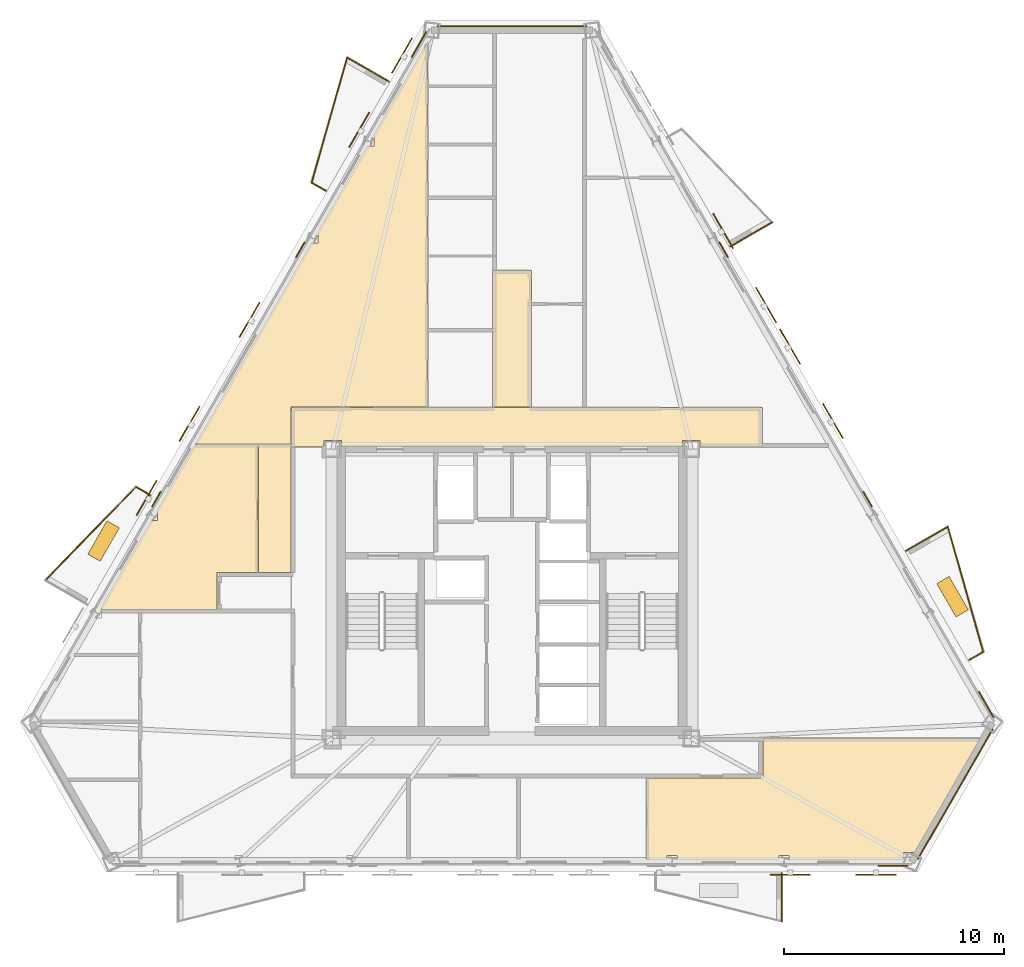
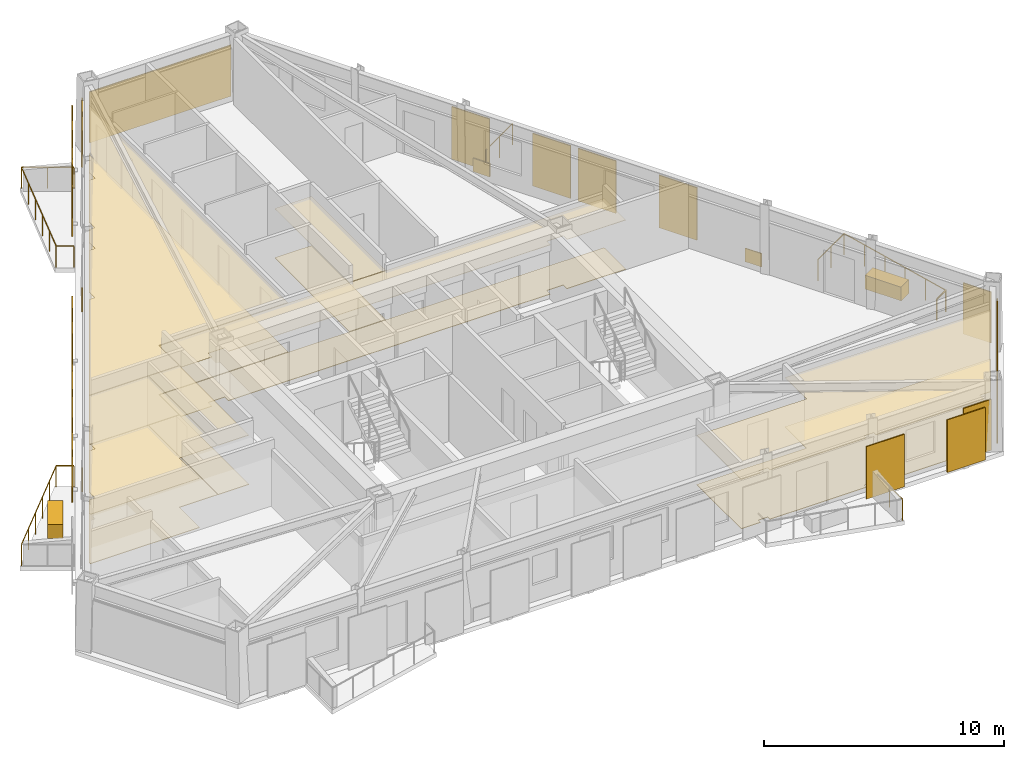
# One storey, part 8 of 9: 23 coverings, 11 shading devices, 10 railings.
"""IFC4 building model written with IfcOpenShell, lengths in metres."""

from ifc_helpers import new_model, si_unit, direction, frame, origin, origin_2d, place, context, subcontext, project, spatial, polyline, rectangle, circle, outline, extrude, material, layer, layer_set, type_object, element, save


model = new_model("IFC4")

# Units and contexts
model_context = context("Model", 3, precision=1e-05, world=origin(), true_north=direction((0.0, 1.0)))
body_context = subcontext(model_context, "Body", "Model", "MODEL_VIEW")
ifc_project = project(units=[si_unit("LENGTHUNIT", "METRE"), si_unit("AREAUNIT", "SQUARE_METRE"), si_unit("VOLUMEUNIT", "CUBIC_METRE"), si_unit("PLANEANGLEUNIT", "RADIAN"), si_unit("MASSUNIT", "GRAM", prefix="KILO")], contexts=[model_context])

# Site, building, storey
site_placement = place(None, origin())
site = spatial("IfcSite", under=ifc_project, at=site_placement, CompositionType="ELEMENT")
building_placement = place(site_placement, origin())
building = spatial("IfcBuilding", under=site, at=building_placement, Name="Oramaril Tower", CompositionType="ELEMENT")
storey_placement = place(building_placement, frame((0.0, 0.0, 201.0)))
storey = spatial("IfcBuildingStorey", under=building, at=storey_placement, Name="L53", CompositionType="ELEMENT", Elevation=201.0)

# Coverings
ifc_material_1 = material(Name="Mineral Fibre Acoustic Ceiling")
ifc_layer_1 = layer(ifc_material_1, 0.02001953125)
ifc_layer_set_1 = layer_set([ifc_layer_1], Name="CVT-CEIL")
covering_type_1 = type_object("IfcCoveringType", Name="CVT-CEIL", PredefinedType="CEILING", material=ifc_layer_set_1)
covering_1_placement = place(storey_placement, frame((0.0, 0.0, 2.511962890625)))
element("IfcCovering", 1, at=covering_1_placement, inside=storey, type_object=covering_type_1, Name="L53 Acoustic Suspended Ceiling 2", PredefinedType="CEILING", context=body_context, shape_type="SweptSolid", body=[
    extrude(outline(polyline([(48.8798828125, 24.239990234375), (46.044921875, 24.239990234375), (46.044921875, 24.544921875), (45.2548828125, 24.544921875), (45.2548828125, 24.25), (29.7451171875, 24.25), (29.7451171875, 24.544921875), (28.955078125, 24.544921875), (28.955078125, 24.239990234375), (27.469970703125, 24.239990234375), (27.469970703125, 26.050048828125), (48.8798828125, 26.050048828125), (48.8798828125, 24.239990234375)])), origin(), (0.0, 0.0, 1.0), 0.02001953125),
])
covering_2_placement = place(storey_placement, frame((0.0, 0.0, 2.511962890625)))
element("IfcCovering", 2, at=covering_2_placement, inside=storey, type_object=covering_type_1, Name="L53 Acoustic Suspended Ceiling 4", PredefinedType="CEILING", context=body_context, shape_type="SweptSolid", body=[
    extrude(outline(polyline([(38.3798828125, 26.070068359375), (36.6201171875, 26.070068359375), (36.6201171875, 32.280029296875), (38.3798828125, 32.280029296875), (38.3798828125, 26.070068359375)])), origin(), (0.0, 0.0, 1.0), 0.02001953125),
])
covering_3_placement = place(storey_placement, frame((0.0, 0.0, 2.511962890625)))
element("IfcCovering", 3, at=covering_3_placement, inside=storey, type_object=covering_type_1, Name="L53 Acoustic Suspended Ceiling 7", PredefinedType="CEILING", context=body_context, shape_type="SweptSolid", body=[
    extrude(outline(polyline([(55.804443359375, 5.8193359375), (55.305908203125, 5.8193359375), (55.305908203125, 5.48876953125), (50.098876953125, 5.48876953125), (50.098876953125, 5.668701171875), (49.64013671875, 5.668701171875), (49.64013671875, 5.48876953125), (45.00146484375, 5.48876953125), (45.00146484375, 5.668701171875), (44.55078125, 5.668701171875), (44.55078125, 5.48876953125), (43.614990234375, 5.48876953125), (43.614990234375, 9.199951171875), (48.8798828125, 9.199951171875), (48.882080078125, 9.2001953125), (48.8837890625, 9.200439453125), (48.8857421875, 9.200927734375), (48.8876953125, 9.201416015625), (48.889404296875, 9.202392578125), (48.89111328125, 9.203369140625), (48.892578125, 9.20458984375), (48.89404296875, 9.205810546875), (48.8955078125, 9.207275390625), (48.896484375, 9.208984375), (48.897705078125, 9.210693359375), (48.8984375, 9.21240234375), (48.899169921875, 9.214111328125), (48.899658203125, 9.216064453125), (48.89990234375, 9.218017578125), (48.89990234375, 9.219970703125), (48.89990234375, 10.991943359375), (58.791015625, 10.991943359375), (55.804443359375, 5.8193359375)])), origin(), (0.0, 0.0, 1.0), 0.02001953125),
])
covering_4_placement = place(storey_placement, frame((0.0, 0.0, 2.511962890625)))
element("IfcCovering", 4, at=covering_4_placement, inside=storey, type_object=covering_type_1, Name="L53 Acoustic Suspended Ceiling 14", PredefinedType="CEILING", context=body_context, shape_type="SweptSolid", body=[
    extrude(outline(polyline([(18.842041015625, 16.975341796875), (18.824462890625, 16.975341796875), (21.090087890625, 20.899658203125), (21.390625, 20.899658203125), (21.390625, 21.3828125), (21.368896484375, 21.3828125), (23.089111328125, 24.362060546875), (25.9462890625, 24.362060546875), (25.9462890625, 18.550048828125), (24.1201171875, 18.550048828125), (24.117919921875, 18.5498046875), (24.1162109375, 18.549560546875), (24.1142578125, 18.549072265625), (24.1123046875, 18.548583984375), (24.110595703125, 18.547607421875), (24.10888671875, 18.546630859375), (24.107421875, 18.54541015625), (24.10595703125, 18.544189453125), (24.1044921875, 18.542724609375), (24.103515625, 18.541015625), (24.102294921875, 18.539306640625), (24.1015625, 18.53759765625), (24.100830078125, 18.535888671875), (24.100341796875, 18.533935546875), (24.10009765625, 18.531982421875), (24.10009765625, 18.530029296875), (24.10009765625, 16.862060546875), (20.54541015625, 16.862060546875), (20.543212890625, 16.86181640625), (20.54150390625, 16.861572265625), (20.53955078125, 16.861083984375), (20.53759765625, 16.860595703125), (20.535888671875, 16.859619140625), (20.535400390625, 16.859375), (20.53466796875, 16.859619140625), (20.532958984375, 16.860595703125), (20.531005859375, 16.861083984375), (20.529296875, 16.861572265625), (20.52734375, 16.86181640625), (20.525390625, 16.862060546875), (18.842041015625, 16.862060546875), (18.842041015625, 16.975341796875)])), origin(), (0.0, 0.0, 1.0), 0.02001953125),
])
covering_5_placement = place(storey_placement, frame((0.0, 0.0, 2.511962890625)))
element("IfcCovering", 5, at=covering_5_placement, inside=storey, type_object=covering_type_1, Name="L53 Acoustic Suspended Ceiling 15", PredefinedType="CEILING", context=body_context, shape_type="SweptSolid", body=[
    extrude(outline(polyline([(27.449951171875, 24.362060546875), (27.449951171875, 24.239990234375), (27.4501953125, 24.238037109375), (27.450439453125, 24.236083984375), (27.450927734375, 24.234130859375), (27.451416015625, 24.232421875), (27.452392578125, 24.230712890625), (27.45263671875, 24.22998046875), (27.452392578125, 24.2294921875), (27.451416015625, 24.227783203125), (27.450927734375, 24.225830078125), (27.450439453125, 24.223876953125), (27.4501953125, 24.221923828125), (27.449951171875, 24.219970703125), (27.449951171875, 18.550048828125), (25.96630859375, 18.550048828125), (25.96630859375, 24.362060546875), (27.449951171875, 24.362060546875)])), origin(), (0.0, 0.0, 1.0), 0.02001953125),
])
covering_6_placement = place(storey_placement, frame((0.0, 0.0, 2.511962890625)))
element("IfcCovering", 6, at=covering_6_placement, inside=storey, type_object=covering_type_1, Name="L53 Acoustic Suspended Ceiling 16", PredefinedType="CEILING", context=body_context, shape_type="SweptSolid", body=[
    extrude(outline(polyline([(28.371826171875, 33.51220703125), (28.672607421875, 33.51220703125), (28.672607421875, 33.9755859375), (28.639404296875, 33.9755859375), (30.92041015625, 37.926513671875), (31.22119140625, 37.926513671875), (31.22119140625, 38.3828125), (31.18408203125, 38.3828125), (33.672119140625, 42.6923828125), (33.672119140625, 26.070068359375), (27.469970703125, 26.070068359375), (27.468017578125, 26.06982421875), (27.466064453125, 26.069580078125), (27.464111328125, 26.069091796875), (27.46240234375, 26.068603515625), (27.460693359375, 26.067626953125), (27.458984375, 26.066650390625), (27.457275390625, 26.0654296875), (27.455810546875, 26.064208984375), (27.45458984375, 26.062744140625), (27.453369140625, 26.06103515625), (27.452392578125, 26.059326171875), (27.451416015625, 26.0576171875), (27.450927734375, 26.055908203125), (27.450439453125, 26.053955078125), (27.4501953125, 26.052001953125), (27.449951171875, 26.050048828125), (27.449951171875, 24.382080078125), (25.96630859375, 24.382080078125), (25.96435546875, 24.3818359375), (25.96240234375, 24.381591796875), (25.96044921875, 24.381103515625), (25.95849609375, 24.380615234375), (25.956787109375, 24.379638671875), (25.956298828125, 24.37939453125), (25.955810546875, 24.379638671875), (25.9541015625, 24.380615234375), (25.9521484375, 24.381103515625), (25.9501953125, 24.381591796875), (25.9482421875, 24.3818359375), (25.9462890625, 24.382080078125), (23.1005859375, 24.382080078125), (28.371826171875, 33.51220703125)])), origin(), (0.0, 0.0, 1.0), 0.02001953125),
])
ifc_material_2 = material(Name="Warm Cream Limestone", Category="masonry")
ifc_layer_2 = layer(ifc_material_2, 0.050048828125)
ifc_layer_set_2 = layer_set([ifc_layer_2], Name="CVT-CLD")
covering_type_2 = type_object("IfcCoveringType", Name="CVT-CLD", PredefinedType="CLADDING", material=ifc_layer_set_2)
covering_7_placement = place(storey_placement, frame((54.825927734375, 5.212646484375, 0.0400390625), z_axis=(0.0, 0.0, 1.0), x_axis=(1.0, 0.0, 0.0)))
element("IfcCovering", 7, at=covering_7_placement, inside=storey, type_object=covering_type_2, Name="L53 Warm Cream Limestone Cladding", PredefinedType="CLADDING", context=body_context, shape_type="SweptSolid", body=[
    extrude(rectangle(XDim=1.35009765625, YDim=0.050048828125, at=origin_2d()), origin(), (0.0, 0.0, 1.0), 2.596923828125),
])
covering_8_placement = place(storey_placement, frame((57.651123046875, 8.4658203125, 0.0400390625), z_axis=(0.0, 0.0, 1.0), x_axis=(0.500010580459, 0.866019295067, 0.0)))
element("IfcCovering", 8, at=covering_8_placement, inside=storey, type_object=covering_type_2, Name="L53 Warm Cream Limestone Cladding", PredefinedType="CLADDING", context=body_context, shape_type="SweptSolid", body=[
    extrude(rectangle(XDim=6.818603515625, YDim=0.050048828125, at=origin_2d()), origin(), (0.0, 0.0, 1.0), 2.596923828125),
])
covering_9_placement = place(storey_placement, frame((59.055908203125, 12.538818359375, 0.0400390625), z_axis=(0.0, 0.0, 1.0), x_axis=(-0.5, 0.866025403784, 0.0)))
element("IfcCovering", 9, at=covering_9_placement, inside=storey, type_object=covering_type_2, Name="L53 Warm Cream Limestone Cladding", PredefinedType="CLADDING", context=body_context, shape_type="SweptSolid", body=[
    extrude(rectangle(XDim=1.35009765625, YDim=0.050048828125, at=origin_2d()), origin(), (0.0, 0.0, 1.0), 2.596923828125),
])
for number, where, z_axis, x_axis, name in (
    (10, (53.66455078125, 21.876953125, 0.0400390625), (0.0, 0.0, 1.0), (-0.5, 0.866025403784, 0.0), "L53 Warm Cream Limestone Spandrel Cladding"),
    (11, (47.12109375, 33.21044921875, 0.0400390625), (0.0, 0.0, 1.0), (-0.5, 0.866025403784, 0.0), "L53 Warm Cream Limestone Spandrel Cladding"),
):
    element("IfcCovering", number, at=place(storey_placement, frame(where, z_axis=z_axis, x_axis=x_axis)), inside=storey, type_object=covering_type_2, Name=name, PredefinedType="CLADDING", context=body_context, shape_type="SweptSolid", body=[
        extrude(rectangle(XDim=0.800048828125, YDim=0.050048828125, at=origin_2d()), origin(), (0.0, 0.0, 1.0), 0.679931640625),
    ])
covering_10_placement = place(storey_placement, frame((37.5, 43.368408203125, 0.0400390625), z_axis=(0.0, 0.0, 1.0), x_axis=(-1.0, 0.0, 0.0)))
element("IfcCovering", 12, at=covering_10_placement, inside=storey, type_object=covering_type_2, Name="L53 Warm Cream Limestone Cladding", PredefinedType="CLADDING", context=body_context, shape_type="SweptSolid", body=[
    extrude(rectangle(XDim=6.818603515625, YDim=0.050048828125, at=origin_2d()), origin(), (0.0, 0.0, 1.0), 2.596923828125),
])
covering_11_placement = place(storey_placement, frame((33.270263671875, 42.54833984375, 0.0400390625), z_axis=(0.0, 0.0, 1.0), x_axis=(-0.5, -0.866025403784, 0.0)))
element("IfcCovering", 13, at=covering_11_placement, inside=storey, type_object=covering_type_2, Name="L53 Warm Cream Limestone Cladding", PredefinedType="CLADDING", context=body_context, shape_type="SweptSolid", body=[
    extrude(rectangle(XDim=1.35009765625, YDim=0.050048828125, at=origin_2d()), origin(), (0.0, 0.0, 1.0), 2.596923828125),
])
for number, where, z_axis, x_axis, name in (
    (14, (27.87890625, 33.21044921875, 0.0400390625), (0.0, 0.0, 1.0), (-0.5, -0.866025403784, 0.0), "L53 Warm Cream Limestone Spandrel Cladding"),
    (15, (21.33544921875, 21.876953125, 0.0400390625), (0.0, 0.0, 1.0), (-0.5, -0.866025403784, 0.0), "L53 Warm Cream Limestone Spandrel Cladding"),
):
    element("IfcCovering", number, at=place(storey_placement, frame(where, z_axis=z_axis, x_axis=x_axis)), inside=storey, type_object=covering_type_2, Name=name, PredefinedType="CLADDING", context=body_context, shape_type="SweptSolid", body=[
        extrude(rectangle(XDim=0.800048828125, YDim=0.050048828125, at=origin_2d()), origin(), (0.0, 0.0, 1.0), 0.679931640625),
    ])
for number, where, z_axis, x_axis, name in (
    (16, (57.528564453125, 17.44140625, 0.0), (0.0, 0.0, 1.0), (-0.500001511499, 0.866024531118, 0.0), "L53 Structural Tree Planter Box L53-BAL-NE1"),
    (17, (18.93408203125, 19.974609375, 0.0), (0.0, 0.0, 1.0), (-0.500001511499, -0.866024531118, 0.0), "L53 Structural Tree Planter Box L53-BAL-NW2"),
):
    element("IfcCovering", number, at=place(storey_placement, frame(where, z_axis=z_axis, x_axis=x_axis)), inside=storey, type_object=covering_type_2, Name=name, PredefinedType="CLADDING", context=body_context, shape_type="SweptSolid", body=[
        extrude(rectangle(XDim=1.75, YDim=0.64990234375, at=origin_2d()), origin(), (0.0, 0.0, 1.0), 0.699951171875),
    ])
ifc_material_3 = material(Name="Honed Quartzite Stone Flooring", Category="masonry")
ifc_layer_3 = layer(ifc_material_3, 0.02490234375)
ifc_layer_set_3 = layer_set([ifc_layer_3], Name="CVT-FLR")
covering_type_3 = type_object("IfcCoveringType", Name="CVT-FLR", PredefinedType="FLOORING", material=ifc_layer_set_3)
covering_12_placement = place(storey_placement, origin())
element("IfcCovering", 18, at=covering_12_placement, inside=storey, type_object=covering_type_3, Name="L53 Honed Stone Floor Finish 2", PredefinedType="FLOORING", context=body_context, shape_type="SweptSolid", body=[
    extrude(outline(polyline([(48.8798828125, 24.239990234375), (46.044921875, 24.239990234375), (46.044921875, 24.544921875), (45.2548828125, 24.544921875), (45.2548828125, 24.25), (29.7451171875, 24.25), (29.7451171875, 24.544921875), (28.955078125, 24.544921875), (28.955078125, 24.239990234375), (27.469970703125, 24.239990234375), (27.469970703125, 26.050048828125), (48.8798828125, 26.050048828125), (48.8798828125, 24.239990234375)])), origin(), (0.0, 0.0, 1.0), 0.02490234375),
])
covering_13_placement = place(storey_placement, origin())
element("IfcCovering", 19, at=covering_13_placement, inside=storey, type_object=covering_type_3, Name="L53 Honed Stone Floor Finish 4", PredefinedType="FLOORING", context=body_context, shape_type="SweptSolid", body=[
    extrude(outline(polyline([(38.3798828125, 26.070068359375), (36.6201171875, 26.070068359375), (36.6201171875, 32.280029296875), (38.3798828125, 32.280029296875), (38.3798828125, 26.070068359375)])), origin(), (0.0, 0.0, 1.0), 0.02490234375),
])
covering_14_placement = place(storey_placement, origin())
element("IfcCovering", 20, at=covering_14_placement, inside=storey, type_object=covering_type_3, Name="L53 Honed Stone Floor Finish 7", PredefinedType="FLOORING", context=body_context, shape_type="SweptSolid", body=[
    extrude(outline(polyline([(55.804443359375, 5.8193359375), (55.305908203125, 5.8193359375), (55.305908203125, 5.48876953125), (50.098876953125, 5.48876953125), (50.098876953125, 5.668701171875), (49.64013671875, 5.668701171875), (49.64013671875, 5.48876953125), (45.00146484375, 5.48876953125), (45.00146484375, 5.668701171875), (44.55078125, 5.668701171875), (44.55078125, 5.48876953125), (43.614990234375, 5.48876953125), (43.614990234375, 9.199951171875), (48.8798828125, 9.199951171875), (48.882080078125, 9.2001953125), (48.8837890625, 9.200439453125), (48.8857421875, 9.200927734375), (48.8876953125, 9.201416015625), (48.889404296875, 9.202392578125), (48.89111328125, 9.203369140625), (48.892578125, 9.20458984375), (48.89404296875, 9.205810546875), (48.8955078125, 9.207275390625), (48.896484375, 9.208984375), (48.897705078125, 9.210693359375), (48.8984375, 9.21240234375), (48.899169921875, 9.214111328125), (48.899658203125, 9.216064453125), (48.89990234375, 9.218017578125), (48.89990234375, 9.219970703125), (48.89990234375, 10.991943359375), (58.791015625, 10.991943359375), (55.804443359375, 5.8193359375)])), origin(), (0.0, 0.0, 1.0), 0.02490234375),
])
covering_15_placement = place(storey_placement, origin())
element("IfcCovering", 21, at=covering_15_placement, inside=storey, type_object=covering_type_3, Name="L53 Honed Stone Floor Finish 14", PredefinedType="FLOORING", context=body_context, shape_type="SweptSolid", body=[
    extrude(outline(polyline([(18.842041015625, 16.975341796875), (18.824462890625, 16.975341796875), (21.090087890625, 20.899658203125), (21.390625, 20.899658203125), (21.390625, 21.3828125), (21.368896484375, 21.3828125), (23.089111328125, 24.362060546875), (25.9462890625, 24.362060546875), (25.9462890625, 18.550048828125), (24.1201171875, 18.550048828125), (24.117919921875, 18.5498046875), (24.1162109375, 18.549560546875), (24.1142578125, 18.549072265625), (24.1123046875, 18.548583984375), (24.110595703125, 18.547607421875), (24.10888671875, 18.546630859375), (24.107421875, 18.54541015625), (24.10595703125, 18.544189453125), (24.1044921875, 18.542724609375), (24.103515625, 18.541015625), (24.102294921875, 18.539306640625), (24.1015625, 18.53759765625), (24.100830078125, 18.535888671875), (24.100341796875, 18.533935546875), (24.10009765625, 18.531982421875), (24.10009765625, 18.530029296875), (24.10009765625, 16.862060546875), (20.54541015625, 16.862060546875), (20.543212890625, 16.86181640625), (20.54150390625, 16.861572265625), (20.53955078125, 16.861083984375), (20.53759765625, 16.860595703125), (20.535888671875, 16.859619140625), (20.535400390625, 16.859375), (20.53466796875, 16.859619140625), (20.532958984375, 16.860595703125), (20.531005859375, 16.861083984375), (20.529296875, 16.861572265625), (20.52734375, 16.86181640625), (20.525390625, 16.862060546875), (18.842041015625, 16.862060546875), (18.842041015625, 16.975341796875)])), origin(), (0.0, 0.0, 1.0), 0.02490234375),
])
covering_16_placement = place(storey_placement, origin())
element("IfcCovering", 22, at=covering_16_placement, inside=storey, type_object=covering_type_3, Name="L53 Honed Stone Floor Finish 15", PredefinedType="FLOORING", context=body_context, shape_type="SweptSolid", body=[
    extrude(outline(polyline([(27.449951171875, 24.362060546875), (27.449951171875, 24.239990234375), (27.4501953125, 24.238037109375), (27.450439453125, 24.236083984375), (27.450927734375, 24.234130859375), (27.451416015625, 24.232421875), (27.452392578125, 24.230712890625), (27.45263671875, 24.22998046875), (27.452392578125, 24.2294921875), (27.451416015625, 24.227783203125), (27.450927734375, 24.225830078125), (27.450439453125, 24.223876953125), (27.4501953125, 24.221923828125), (27.449951171875, 24.219970703125), (27.449951171875, 18.550048828125), (25.96630859375, 18.550048828125), (25.96630859375, 24.362060546875), (27.449951171875, 24.362060546875)])), origin(), (0.0, 0.0, 1.0), 0.02490234375),
])
covering_17_placement = place(storey_placement, origin())
element("IfcCovering", 23, at=covering_17_placement, inside=storey, type_object=covering_type_3, Name="L53 Honed Stone Floor Finish 16", PredefinedType="FLOORING", context=body_context, shape_type="SweptSolid", body=[
    extrude(outline(polyline([(28.371826171875, 33.51220703125), (28.672607421875, 33.51220703125), (28.672607421875, 33.9755859375), (28.639404296875, 33.9755859375), (30.92041015625, 37.926513671875), (31.22119140625, 37.926513671875), (31.22119140625, 38.3828125), (31.18408203125, 38.3828125), (33.672119140625, 42.6923828125), (33.672119140625, 26.070068359375), (27.469970703125, 26.070068359375), (27.468017578125, 26.06982421875), (27.466064453125, 26.069580078125), (27.464111328125, 26.069091796875), (27.46240234375, 26.068603515625), (27.460693359375, 26.067626953125), (27.458984375, 26.066650390625), (27.457275390625, 26.0654296875), (27.455810546875, 26.064208984375), (27.45458984375, 26.062744140625), (27.453369140625, 26.06103515625), (27.452392578125, 26.059326171875), (27.451416015625, 26.0576171875), (27.450927734375, 26.055908203125), (27.450439453125, 26.053955078125), (27.4501953125, 26.052001953125), (27.449951171875, 26.050048828125), (27.449951171875, 24.382080078125), (25.96630859375, 24.382080078125), (25.96435546875, 24.3818359375), (25.96240234375, 24.381591796875), (25.96044921875, 24.381103515625), (25.95849609375, 24.380615234375), (25.956787109375, 24.379638671875), (25.956298828125, 24.37939453125), (25.955810546875, 24.379638671875), (25.9541015625, 24.380615234375), (25.9521484375, 24.381103515625), (25.9501953125, 24.381591796875), (25.9482421875, 24.3818359375), (25.9462890625, 24.382080078125), (23.1005859375, 24.382080078125), (28.371826171875, 33.51220703125)])), origin(), (0.0, 0.0, 1.0), 0.02490234375),
])

# Railings
ifc_material_4 = material(Name="Stainless Steel 316L", Category="steel")
railing_type = type_object("IfcRailingType", Name="RLT-GRD", PredefinedType="GUARDRAIL", material=ifc_material_4)
railing_1_placement = place(storey_placement, frame((49.756591796875, 4.872802734375, 0.0)))
element("IfcRailing", 24, at=railing_1_placement, inside=storey, type_object=railing_type, Name="L53 Balcony Guardrail L53-BAL-S2.1", PredefinedType="GUARDRAIL", context=body_context, shape_type="SweptSolid", body=[
    extrude(circle(Radius=0.02392578125, at=origin_2d()), frame((0.0, 0.0, 1.076171875), z_axis=(0.0, -1.0, 0.0), x_axis=(1.0, 0.0, 0.0)), (0.0, 0.0, 1.0), 2.192138671875),
    extrude(circle(Radius=0.02099609375, at=origin_2d()), origin(), (0.0, 0.0, 1.0), 1.052001953125),
    extrude(circle(Radius=0.02099609375, at=origin_2d()), frame((0.0, -1.09619140625, 0.0)), (0.0, 0.0, 1.0), 1.052001953125),
    extrude(circle(Radius=0.02099609375, at=origin_2d()), frame((0.0, -2.192138671875, 0.0)), (0.0, 0.0, 1.0), 1.052001953125),
])
railing_2_placement = place(storey_placement, frame((55.4130859375, 19.5283203125, 0.0)))
element("IfcRailing", 25, at=railing_2_placement, inside=storey, type_object=railing_type, Name="L53 Balcony Guardrail L53-BAL-NE1.1", PredefinedType="GUARDRAIL", context=body_context, shape_type="SweptSolid", body=[
    extrude(circle(Radius=0.02392578125, at=origin_2d()), frame((0.0, 0.0, 1.076171875), z_axis=(0.866020500697, 0.5000084923, 0.0), x_axis=(-0.5000084923, 0.866020500697, 0.0)), (0.0, 0.0, 1.0), 2.19189453125),
    extrude(circle(Radius=0.02099609375, at=origin_2d()), origin(), (0.0, 0.0, 1.0), 1.052001953125),
    extrude(circle(Radius=0.02099609375, at=origin_2d()), frame((0.94921875, 0.5478515625, 0.0)), (0.0, 0.0, 1.0), 1.052001953125),
    extrude(circle(Radius=0.02099609375, at=origin_2d()), frame((1.898193359375, 1.095947265625, 0.0)), (0.0, 0.0, 1.0), 1.052001953125),
])
railing_3_placement = place(storey_placement, frame((57.311279296875, 20.624267578125, 0.0)))
element("IfcRailing", 26, at=railing_3_placement, inside=storey, type_object=railing_type, Name="L53 Balcony Guardrail L53-BAL-NE1.2", PredefinedType="GUARDRAIL", context=body_context, shape_type="SweptSolid", body=[
    extrude(circle(Radius=0.02392578125, at=origin_2d()), frame((0.0, 0.0, 1.076171875), z_axis=(0.272287109361, -0.962216051662, 0.0), x_axis=(0.962216051662, 0.272287109361, 0.0)), (0.0, 0.0, 1.0), 5.91064453125),
    extrude(circle(Radius=0.02099609375, at=origin_2d()), origin(), (0.0, 0.0, 1.0), 1.052001953125),
    extrude(circle(Radius=0.02099609375, at=origin_2d()), frame((0.32177734375, -1.137451171875, 0.0)), (0.0, 0.0, 1.0), 1.052001953125),
    extrude(circle(Radius=0.02099609375, at=origin_2d()), frame((0.643798828125, -2.27490234375, 0.0)), (0.0, 0.0, 1.0), 1.052001953125),
    extrude(circle(Radius=0.02099609375, at=origin_2d()), frame((0.965576171875, -3.412353515625, 0.0)), (0.0, 0.0, 1.0), 1.052001953125),
    extrude(circle(Radius=0.02099609375, at=origin_2d()), frame((1.28759765625, -4.5498046875, 0.0)), (0.0, 0.0, 1.0), 1.052001953125),
    extrude(circle(Radius=0.02099609375, at=origin_2d()), frame((1.609375, -5.687255859375, 0.0)), (0.0, 0.0, 1.0), 1.052001953125),
])
railing_4_placement = place(storey_placement, frame((58.920654296875, 14.93701171875, 0.0)))
element("IfcRailing", 27, at=railing_4_placement, inside=storey, type_object=railing_type, Name="L53 Balcony Guardrail L53-BAL-NE1.3", PredefinedType="GUARDRAIL", context=body_context, shape_type="SweptSolid", body=[
    extrude(circle(Radius=0.02392578125, at=origin_2d()), frame((0.0, 0.0, 1.076171875), z_axis=(-0.866108878364, -0.499855389907, 0.0), x_axis=(0.499855389907, -0.866108878364, 0.0)), (0.0, 0.0, 1.0), 0.741943359375),
    extrude(circle(Radius=0.02099609375, at=origin_2d()), origin(), (0.0, 0.0, 1.0), 1.052001953125),
    extrude(circle(Radius=0.02099609375, at=origin_2d()), frame((-0.642578125, -0.370849609375, 0.0)), (0.0, 0.0, 1.0), 1.052001953125),
])
railing_5_placement = place(storey_placement, frame((49.322265625, 34.4619140625, 0.0)))
element("IfcRailing", 28, at=railing_5_placement, inside=storey, type_object=railing_type, Name="L53 Balcony Guardrail L53-BAL-NE2.3", PredefinedType="GUARDRAIL", context=body_context, shape_type="SweptSolid", body=[
    extrude(circle(Radius=0.02392578125, at=origin_2d()), frame((0.0, 0.0, 1.076171875), z_axis=(-0.866020500697, -0.5000084923, 0.0), x_axis=(0.5000084923, -0.866020500697, 0.0)), (0.0, 0.0, 1.0), 2.19189453125),
    extrude(circle(Radius=0.02099609375, at=origin_2d()), origin(), (0.0, 0.0, 1.0), 1.052001953125),
    extrude(circle(Radius=0.02099609375, at=origin_2d()), frame((-0.94921875, -0.5478515625, 0.0)), (0.0, 0.0, 1.0), 1.052001953125),
    extrude(circle(Radius=0.02099609375, at=origin_2d()), frame((-1.898193359375, -1.095947265625, 0.0)), (0.0, 0.0, 1.0), 1.052001953125),
])
railing_6_placement = place(storey_placement, frame((29.03857421875, 35.89892578125, 0.0)))
element("IfcRailing", 29, at=railing_6_placement, inside=storey, type_object=railing_type, Name="L53 Balcony Guardrail L53-BAL-NW1.1", PredefinedType="GUARDRAIL", context=body_context, shape_type="SweptSolid", body=[
    extrude(circle(Radius=0.02392578125, at=origin_2d()), frame((0.0, 0.0, 1.076171875), z_axis=(-0.865966403178, 0.500102178127, 0.0), x_axis=(-0.500102178127, -0.865966403178, 0.0)), (0.0, 0.0, 1.0), 0.741943359375),
    extrude(circle(Radius=0.02099609375, at=origin_2d()), origin(), (0.0, 0.0, 1.0), 1.052001953125),
    extrude(circle(Radius=0.02099609375, at=origin_2d()), frame((-0.642578125, 0.37109375, 0.0)), (0.0, 0.0, 1.0), 1.052001953125),
])
railing_7_placement = place(storey_placement, frame((28.39599609375, 36.27001953125, 0.0)))
element("IfcRailing", 30, at=railing_7_placement, inside=storey, type_object=railing_type, Name="L53 Balcony Guardrail L53-BAL-NW1.2", PredefinedType="GUARDRAIL", context=body_context, shape_type="SweptSolid", body=[
    extrude(circle(Radius=0.02392578125, at=origin_2d()), frame((0.0, 0.0, 1.076171875), z_axis=(0.27224886544, 0.962226873074, 0.0), x_axis=(-0.962226873074, 0.27224886544, 0.0)), (0.0, 0.0, 1.0), 5.910400390625),
    extrude(circle(Radius=0.02099609375, at=origin_2d()), origin(), (0.0, 0.0, 1.0), 1.052001953125),
    extrude(circle(Radius=0.02099609375, at=origin_2d()), frame((0.32177734375, 1.137451171875, 0.0)), (0.0, 0.0, 1.0), 1.052001953125),
    extrude(circle(Radius=0.02099609375, at=origin_2d()), frame((0.6435546875, 2.27490234375, 0.0)), (0.0, 0.0, 1.0), 1.052001953125),
    extrude(circle(Radius=0.02099609375, at=origin_2d()), frame((0.965576171875, 3.412353515625, 0.0)), (0.0, 0.0, 1.0), 1.052001953125),
    extrude(circle(Radius=0.02099609375, at=origin_2d()), frame((1.287353515625, 4.5498046875, 0.0)), (0.0, 0.0, 1.0), 1.052001953125),
    extrude(circle(Radius=0.02099609375, at=origin_2d()), frame((1.609130859375, 5.687255859375, 0.0)), (0.0, 0.0, 1.0), 1.052001953125),
])
railing_8_placement = place(storey_placement, frame((30.005126953125, 41.957275390625, 0.0)))
element("IfcRailing", 31, at=railing_8_placement, inside=storey, type_object=railing_type, Name="L53 Balcony Guardrail L53-BAL-NW1.3", PredefinedType="GUARDRAIL", context=body_context, shape_type="SweptSolid", body=[
    extrude(circle(Radius=0.02392578125, at=origin_2d()), frame((0.0, 0.0, 1.076171875), z_axis=(0.866000118559, -0.500043792738, 0.0), x_axis=(0.500043792738, 0.866000118559, 0.0)), (0.0, 0.0, 1.0), 2.192138671875),
    extrude(circle(Radius=0.02099609375, at=origin_2d()), origin(), (0.0, 0.0, 1.0), 1.052001953125),
    extrude(circle(Radius=0.02099609375, at=origin_2d()), frame((0.94921875, -0.548095703125, 0.0)), (0.0, 0.0, 1.0), 1.052001953125),
    extrude(circle(Radius=0.02099609375, at=origin_2d()), frame((1.8984375, -1.09619140625, 0.0)), (0.0, 0.0, 1.0), 1.052001953125),
])
railing_9_placement = place(storey_placement, frame((16.2861328125, 18.1953125, 0.0)))
element("IfcRailing", 32, at=railing_9_placement, inside=storey, type_object=railing_type, Name="L53 Balcony Guardrail L53-BAL-NW2.2", PredefinedType="GUARDRAIL", context=body_context, shape_type="SweptSolid", body=[
    extrude(circle(Radius=0.02392578125, at=origin_2d()), frame((0.0, 0.0, 1.076171875), z_axis=(0.697207560153, 0.716869317285, 0.0), x_axis=(-0.716869317285, 0.697207560153, 0.0)), (0.0, 0.0, 1.0), 5.910400390625),
    extrude(circle(Radius=0.02099609375, at=origin_2d()), origin(), (0.0, 0.0, 1.0), 1.052001953125),
    extrude(circle(Radius=0.02099609375, at=origin_2d()), frame((0.82421875, 0.847412109375, 0.0)), (0.0, 0.0, 1.0), 1.052001953125),
    extrude(circle(Radius=0.02099609375, at=origin_2d()), frame((1.6484375, 1.69482421875, 0.0)), (0.0, 0.0, 1.0), 1.052001953125),
    extrude(circle(Radius=0.02099609375, at=origin_2d()), frame((2.472412109375, 2.542236328125, 0.0)), (0.0, 0.0, 1.0), 1.052001953125),
    extrude(circle(Radius=0.02099609375, at=origin_2d()), frame((3.296630859375, 3.3896484375, 0.0)), (0.0, 0.0, 1.0), 1.052001953125),
    extrude(circle(Radius=0.02099609375, at=origin_2d()), frame((4.120849609375, 4.237060546875, 0.0)), (0.0, 0.0, 1.0), 1.052001953125),
])
railing_10_placement = place(storey_placement, frame((20.406982421875, 22.432373046875, 0.0)))
element("IfcRailing", 33, at=railing_10_placement, inside=storey, type_object=railing_type, Name="L53 Balcony Guardrail L53-BAL-NW2.3", PredefinedType="GUARDRAIL", context=body_context, shape_type="SweptSolid", body=[
    extrude(circle(Radius=0.02392578125, at=origin_2d()), frame((0.0, 0.0, 1.076171875), z_axis=(0.865884080729, -0.500244698863, 0.0), x_axis=(0.500244698863, 0.865884080729, 0.0)), (0.0, 0.0, 1.0), 0.741943359375),
    extrude(circle(Radius=0.02099609375, at=origin_2d()), origin(), (0.0, 0.0, 1.0), 1.052001953125),
    extrude(circle(Radius=0.02099609375, at=origin_2d()), frame((0.642333984375, -0.37109375, 0.0)), (0.0, 0.0, 1.0), 1.052001953125),
])

# Shading devices
for number, where, z_axis, x_axis, name in (
    (34, (50.145751953125, 4.80078125, -0.02001953125), (0.0, 0.0, 1.0), (1.0, 0.0, 0.0), "L53 Perforated Ceramic Solar Screen"),
    (35, (54.045654296875, 4.80078125, -0.02001953125), (0.0, 0.0, 1.0), (1.0, 0.0, 0.0), "L53 Perforated Ceramic Solar Screen"),
    (36, (52.08837890625, 25.430908203125, -0.02001953125), (0.0, 0.0, 1.0), (-0.5, 0.866025403784, 0.0), "L53 Perforated Ceramic Solar Screen"),
    (37, (50.13818359375, 28.80859375, -0.02001953125), (0.0, 0.0, 1.0), (-0.5, 0.866025403784, 0.0), "L53 Perforated Ceramic Solar Screen"),
    (38, (49.0478515625, 30.697265625, -0.02001953125), (0.0, 0.0, 1.0), (-0.5, 0.866025403784, 0.0), "L53 Perforated Ceramic Solar Screen"),
    (39, (47.097900390625, 34.07470703125, -0.02001953125), (0.0, 0.0, 1.0), (-0.5, 0.866025403784, 0.0), "L53 Perforated Ceramic Solar Screen"),
    (40, (22.838623046875, 25.304443359375, -0.02001953125), (0.0, 0.0, 1.0), (-0.5, -0.866025403784, 0.0), "L53 Perforated Ceramic Solar Screen"),
    (41, (20.888671875, 21.927001953125, -0.02001953125), (0.0, 0.0, 1.0), (-0.5, -0.866025403784, 0.0), "L53 Perforated Ceramic Solar Screen"),
    (42, (32.501708984375, 42.041259765625, -0.02001953125), (0.0, 0.0, 1.0), (-0.5, -0.866025403784, 0.0), "L53 Perforated Ceramic Solar Screen"),
    (43, (30.5517578125, 38.663818359375, -0.02001953125), (0.0, 0.0, 1.0), (-0.5, -0.866025403784, 0.0), "L53 Perforated Ceramic Solar Screen"),
    (44, (25.568115234375, 30.031982421875, -0.02001953125), (0.0, 0.0, 1.0), (-0.5, -0.866025403784, 0.0), "L53 Perforated Ceramic Solar Screen"),
):
    element("IfcShadingDevice", number, at=place(storey_placement, frame(where, z_axis=z_axis, x_axis=x_axis)), inside=storey, Name=name, ObjectType="SCREEN", PredefinedType="USERDEFINED", context=body_context, shape_type="SweptSolid", body=[
        extrude(rectangle(XDim=1.8330078125, YDim=0.050048828125, at=origin_2d()), origin(), (0.0, 0.0, 1.0), 2.677001953125),
    ])

save(model, "model.ifc")
